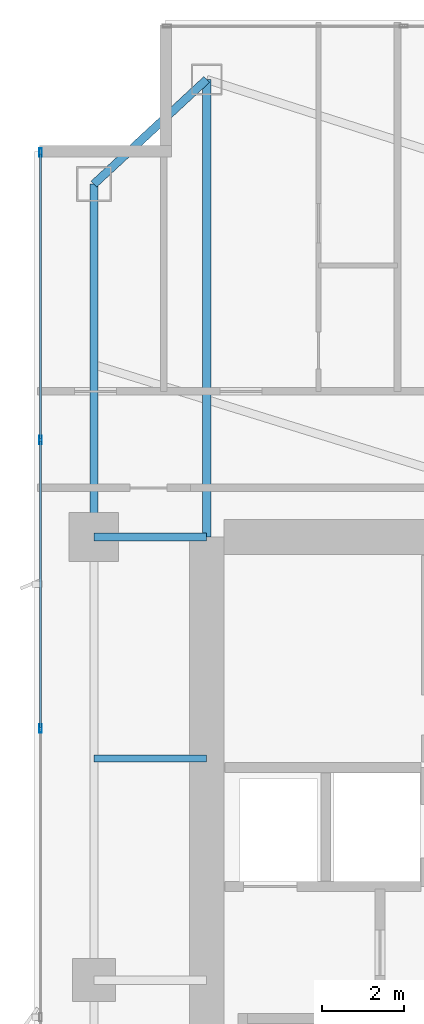
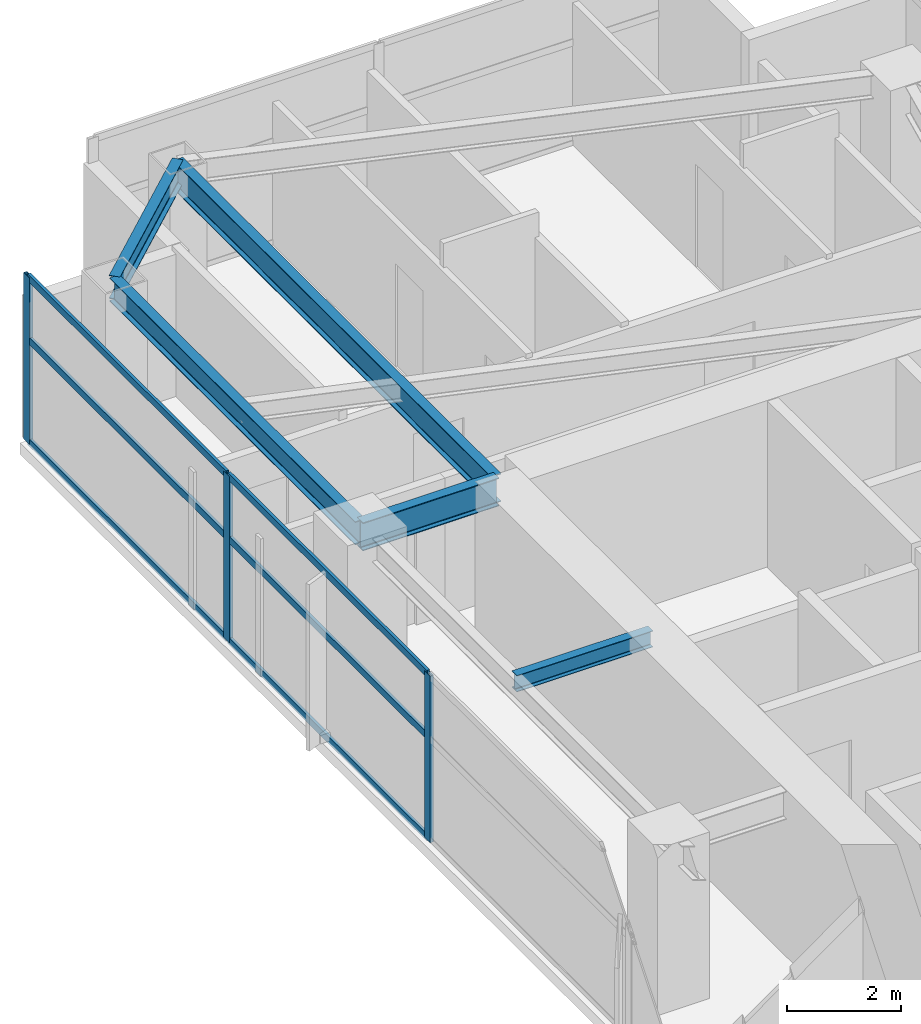
# One storey, part 16 of 28: 9 members, 5 beams, 1 element without a shape of its own.
"""IFC4 building model written with IfcOpenShell, lengths in metres."""

from ifc_helpers import new_model, si_unit, direction, frame, origin, origin_2d, place, context, subcontext, project, spatial, hollow_rectangle, i_section, extrude, material, layer, layer_set, material_profile, profile_set, type_object, element, aggregate, save


model = new_model("IFC4")

# Units and contexts
model_context = context("Model", 3, precision=1e-05, world=origin(), true_north=direction((0.0, 1.0)))
body_context = subcontext(model_context, "Body", "Model", "MODEL_VIEW")
ifc_project = project(units=[si_unit("LENGTHUNIT", "METRE"), si_unit("AREAUNIT", "SQUARE_METRE"), si_unit("VOLUMEUNIT", "CUBIC_METRE"), si_unit("PLANEANGLEUNIT", "RADIAN"), si_unit("MASSUNIT", "GRAM", prefix="KILO")], contexts=[model_context])

# Site, building, storey
site_placement = place(None, origin())
site = spatial("IfcSite", under=ifc_project, at=site_placement, CompositionType="ELEMENT")
building_placement = place(site_placement, origin())
building = spatial("IfcBuilding", under=site, at=building_placement, Name="Calvorn Quay Hotel", CompositionType="ELEMENT")
storey_placement = place(building_placement, frame((0.0, 0.0, 152.300048828125)))
storey = spatial("IfcBuildingStorey", under=building, at=storey_placement, Name="L37", CompositionType="ELEMENT", Elevation=152.300048828125)

# Beams
ifc_material_1 = material(Name="Steel Q355B", Category="steel")
ifc_material_profile_1 = material_profile(ifc_material_1, i_section(OverallWidth=0.199951171875, OverallDepth=0.60009765625, WebThickness=0.010986328125, FlangeThickness=0.01708984375, FilletRadius=0.01806640625, at=origin_2d()), Name="HN600x200x11x17")
ifc_profile_set_1 = profile_set([ifc_material_profile_1], Name="Steel Q355B")
beam_type_1 = type_object("IfcBeamType", Name="BM-GIRD-TYP", PredefinedType="BEAM", material=ifc_profile_set_1)
beam_1_placement = place(storey_placement, frame((1.449951171875, 38.39990234375, 3.239990234375), z_axis=(1.0, 0.0, 0.0), x_axis=(0.0, 1.0, 0.0)))
element("IfcBeam", 1, at=beam_1_placement, inside=storey, type_object=beam_type_1, Name="Beam BG-L37-W3", PredefinedType="BEAM", context=body_context, shape_type="SweptSolid", body=[
    extrude(i_section(OverallWidth=0.199951171875, OverallDepth=0.60009765625, WebThickness=0.010986328125, FlangeThickness=0.01708984375, FilletRadius=0.01806640625, at=origin_2d()), origin(), (0.0, 0.0, 1.0), 2.75),
])
beam_2_placement = place(storey_placement, frame((4.199951171875, 49.550048828125, 3.239990234375), z_axis=(0.0, -1.0, 0.0), x_axis=(1.0, 0.0, 0.0)))
element("IfcBeam", 2, at=beam_2_placement, inside=storey, type_object=beam_type_1, Name="Beam BG-L37-W5", PredefinedType="BEAM", context=body_context, shape_type="SweptSolid", body=[
    extrude(i_section(OverallWidth=0.199951171875, OverallDepth=0.60009765625, WebThickness=0.010986328125, FlangeThickness=0.01708984375, FilletRadius=0.01806640625, at=origin_2d()), origin(), (0.0, 0.0, 1.0), 11.150146484375),
])
ifc_material_2 = material(Name="Steel Q355B", Category="steel")
ifc_material_profile_2 = material_profile(ifc_material_2, i_section(OverallWidth=0.175048828125, OverallDepth=0.35009765625, WebThickness=0.007080078125, FlangeThickness=0.010986328125, FilletRadius=0.013916015625, at=origin_2d()), Name="HN350x175x7x11")
ifc_profile_set_2 = profile_set([ifc_material_profile_2], Name="Steel Q355B")
beam_type_2 = type_object("IfcBeamType", Name="BM-JOIST-SEC", PredefinedType="JOIST", material=ifc_profile_set_2)
beam_3_placement = place(storey_placement, frame((1.449951171875, 33.0, 3.364990234375), z_axis=(1.0, 0.0, 0.0), x_axis=(0.0, 1.0, 0.0)))
element("IfcBeam", 3, at=beam_3_placement, inside=storey, type_object=beam_type_2, Name="Beam BJ-L37-W4", PredefinedType="JOIST", context=body_context, shape_type="SweptSolid", body=[
    extrude(i_section(OverallWidth=0.175048828125, OverallDepth=0.35009765625, WebThickness=0.007080078125, FlangeThickness=0.010986328125, FilletRadius=0.013916015625, at=origin_2d()), origin(), (0.0, 0.0, 1.0), 2.75),
])
ifc_material_3 = material(Name="Steel Q355B", Category="steel")
ifc_material_profile_3 = material_profile(ifc_material_3, i_section(OverallWidth=0.199951171875, OverallDepth=0.5, WebThickness=0.010009765625, FlangeThickness=0.01611328125, FilletRadius=0.01611328125, at=origin_2d()), Name="HN500x200x10x16")
ifc_profile_set_3 = profile_set([ifc_material_profile_3], Name="Steel Q355B")
beam_type_3 = type_object("IfcBeamType", Name="BM-SPANDREL-Z1", PredefinedType="SPANDREL", material=ifc_profile_set_3)
beam_4_placement = place(storey_placement, frame((1.449951171875, 38.39990234375, 3.2900390625), z_axis=(0.0, 1.0, 0.0), x_axis=(-1.0, 0.0, 0.0)))
element("IfcBeam", 4, at=beam_4_placement, inside=storey, type_object=beam_type_3, Name="Beam BSP-L37-W4", PredefinedType="SPANDREL", context=body_context, shape_type="SweptSolid", body=[
    extrude(i_section(OverallWidth=0.199951171875, OverallDepth=0.5, WebThickness=0.010009765625, FlangeThickness=0.01611328125, FilletRadius=0.01611328125, at=origin_2d()), origin(), (0.0, 0.0, 1.0), 8.60009765625),
])
beam_5_placement = place(storey_placement, frame((1.449951171875, 47.0, 3.2900390625), z_axis=(0.733261665538, 0.679946563969, 0.0), x_axis=(-0.679946563969, 0.733261665538, 0.0)))
element("IfcBeam", 5, at=beam_5_placement, inside=storey, type_object=beam_type_3, Name="Beam BSP-L37-W5", PredefinedType="SPANDREL", context=body_context, shape_type="SweptSolid", body=[
    extrude(i_section(OverallWidth=0.199951171875, OverallDepth=0.5, WebThickness=0.010009765625, FlangeThickness=0.01611328125, FilletRadius=0.01611328125, at=origin_2d()), origin(), (0.0, 0.0, 1.0), 3.75048828125),
])

# Curtain wall, members
ifc_material_4 = material(Name="Pale Anodised Aluminium and Low-E Glass", Category="aluminium")
ifc_layer = layer(ifc_material_4, 0.219970703125)
ifc_layer_set = layer_set([ifc_layer], Name="CW-SYS-Z2")
curtain_wall_type = type_object("IfcCurtainWallType", Name="CW-SYS-Z2", PredefinedType="NOTDEFINED", material=ifc_layer_set)
curtain_wall_placement = place(storey_placement, origin())
curtain_wall = element("IfcCurtainWall", 6, at=curtain_wall_placement, inside=storey, type_object=curtain_wall_type, Name="Tower West Curtain Wall (L37)", PredefinedType="NOTDEFINED")
ifc_material_5 = material(Name="Pale Anodised Aluminium 6063-T6", Category="aluminium")
ifc_material_profile_4 = material_profile(ifc_material_5, hollow_rectangle(XDim=0.070068359375, YDim=0.199951171875, WallThickness=0.00390625, at=origin_2d()), Name="ALU-M200x70x4")
ifc_profile_set_4 = profile_set([ifc_material_profile_4], Name="Pale Anodised Aluminium 6063-T6")
member_type_1 = type_object("IfcMemberType", Name="CW-SYS-Z2-MUL", PredefinedType="MULLION", material=ifc_profile_set_4)
member_1_placement = place(storey_placement, frame((0.14990234375, 33.7333984375, 0.0), z_axis=(0.0, 0.0, 1.0), x_axis=(-1.0, 0.0, 0.0)))
member_1 = element("IfcMember", 7, at=member_1_placement, type_object=member_type_1, Name="CW-L37-W mullion 5", PredefinedType="MULLION", context=body_context, shape_type="SweptSolid", body=[
    extrude(hollow_rectangle(XDim=0.070068359375, YDim=0.199951171875, WallThickness=0.00390625, at=origin_2d()), origin(), (0.0, 0.0, 1.0), 3.56005859375),
])
member_2_placement = place(storey_placement, frame((0.14990234375, 40.7666015625, 0.0), z_axis=(0.0, 0.0, 1.0), x_axis=(-1.0, 0.0, 0.0)))
member_2 = element("IfcMember", 8, at=member_2_placement, type_object=member_type_1, Name="CW-L37-W mullion 6", PredefinedType="MULLION", context=body_context, shape_type="SweptSolid", body=[
    extrude(hollow_rectangle(XDim=0.070068359375, YDim=0.199951171875, WallThickness=0.00390625, at=origin_2d()), origin(), (0.0, 0.0, 1.0), 3.56005859375),
])
member_3_placement = place(storey_placement, frame((0.14990234375, 47.77001953125, 0.0), z_axis=(0.0, 0.0, 1.0), x_axis=(-1.0, 0.0, 0.0)))
member_3 = element("IfcMember", 9, at=member_3_placement, type_object=member_type_1, Name="CW-L37-W mullion 7", PredefinedType="MULLION", context=body_context, shape_type="SweptSolid", body=[
    extrude(hollow_rectangle(XDim=0.070068359375, YDim=0.199951171875, WallThickness=0.00390625, at=origin_2d()), origin(), (0.0, 0.0, 1.0), 3.56005859375),
])
ifc_material_6 = material(Name="Pale Anodised Aluminium 6063-T6", Category="aluminium")
ifc_material_profile_5 = material_profile(ifc_material_6, hollow_rectangle(XDim=0.06005859375, YDim=0.14990234375, WallThickness=0.00341796875, at=origin_2d()), Name="ALU-T150x60x3.5")
ifc_profile_set_5 = profile_set([ifc_material_profile_5], Name="Pale Anodised Aluminium 6063-T6")
member_type_2 = type_object("IfcMemberType", Name="CW-SYS-Z2-TRN", PredefinedType="USERDEFINED", material=ifc_profile_set_5)
member_4_placement = place(storey_placement, frame((0.14990234375, 33.763427734375, 0.030029296875), z_axis=(0.0, 1.0, 0.0), x_axis=(-1.0, 0.0, 0.0)))
member_4 = element("IfcMember", 10, at=member_4_placement, type_object=member_type_2, Name="CW-L37-W transom 5.1", ObjectType="TRANSOM", PredefinedType="USERDEFINED", context=body_context, shape_type="SweptSolid", body=[
    extrude(hollow_rectangle(XDim=0.06005859375, YDim=0.14990234375, WallThickness=0.00341796875, at=origin_2d()), origin(), (0.0, 0.0, 1.0), 6.97314453125),
])
member_5_placement = place(storey_placement, frame((0.14990234375, 33.763427734375, 2.199951171875), z_axis=(0.0, 1.0, 0.0), x_axis=(-1.0, 0.0, 0.0)))
member_5 = element("IfcMember", 11, at=member_5_placement, type_object=member_type_2, Name="CW-L37-W transom 5.2", ObjectType="TRANSOM", PredefinedType="USERDEFINED", context=body_context, shape_type="SweptSolid", body=[
    extrude(hollow_rectangle(XDim=0.06005859375, YDim=0.14990234375, WallThickness=0.00341796875, at=origin_2d()), origin(), (0.0, 0.0, 1.0), 6.97314453125),
])
member_6_placement = place(storey_placement, frame((0.14990234375, 33.763427734375, 3.530029296875), z_axis=(0.0, 1.0, 0.0), x_axis=(-1.0, 0.0, 0.0)))
member_6 = element("IfcMember", 12, at=member_6_placement, type_object=member_type_2, Name="CW-L37-W transom 5.3", ObjectType="TRANSOM", PredefinedType="USERDEFINED", context=body_context, shape_type="SweptSolid", body=[
    extrude(hollow_rectangle(XDim=0.06005859375, YDim=0.14990234375, WallThickness=0.00341796875, at=origin_2d()), origin(), (0.0, 0.0, 1.0), 6.97314453125),
])
member_7_placement = place(storey_placement, frame((0.14990234375, 40.796630859375, 0.030029296875), z_axis=(0.0, 1.0, 0.0), x_axis=(-1.0, 0.0, 0.0)))
member_7 = element("IfcMember", 13, at=member_7_placement, type_object=member_type_2, Name="CW-L37-W transom 6.1", ObjectType="TRANSOM", PredefinedType="USERDEFINED", context=body_context, shape_type="SweptSolid", body=[
    extrude(hollow_rectangle(XDim=0.06005859375, YDim=0.14990234375, WallThickness=0.00341796875, at=origin_2d()), origin(), (0.0, 0.0, 1.0), 6.943359375),
])
member_8_placement = place(storey_placement, frame((0.14990234375, 40.796630859375, 2.199951171875), z_axis=(0.0, 1.0, 0.0), x_axis=(-1.0, 0.0, 0.0)))
member_8 = element("IfcMember", 14, at=member_8_placement, type_object=member_type_2, Name="CW-L37-W transom 6.2", ObjectType="TRANSOM", PredefinedType="USERDEFINED", context=body_context, shape_type="SweptSolid", body=[
    extrude(hollow_rectangle(XDim=0.06005859375, YDim=0.14990234375, WallThickness=0.00341796875, at=origin_2d()), origin(), (0.0, 0.0, 1.0), 6.943359375),
])
member_9_placement = place(storey_placement, frame((0.14990234375, 40.796630859375, 3.530029296875), z_axis=(0.0, 1.0, 0.0), x_axis=(-1.0, 0.0, 0.0)))
member_9 = element("IfcMember", 15, at=member_9_placement, type_object=member_type_2, Name="CW-L37-W transom 6.3", ObjectType="TRANSOM", PredefinedType="USERDEFINED", context=body_context, shape_type="SweptSolid", body=[
    extrude(hollow_rectangle(XDim=0.06005859375, YDim=0.14990234375, WallThickness=0.00341796875, at=origin_2d()), origin(), (0.0, 0.0, 1.0), 6.943359375),
])
aggregate(curtain_wall, [member_1, member_2, member_3, member_4, member_5, member_6, member_7, member_8, member_9])

save(model, "model.ifc")
